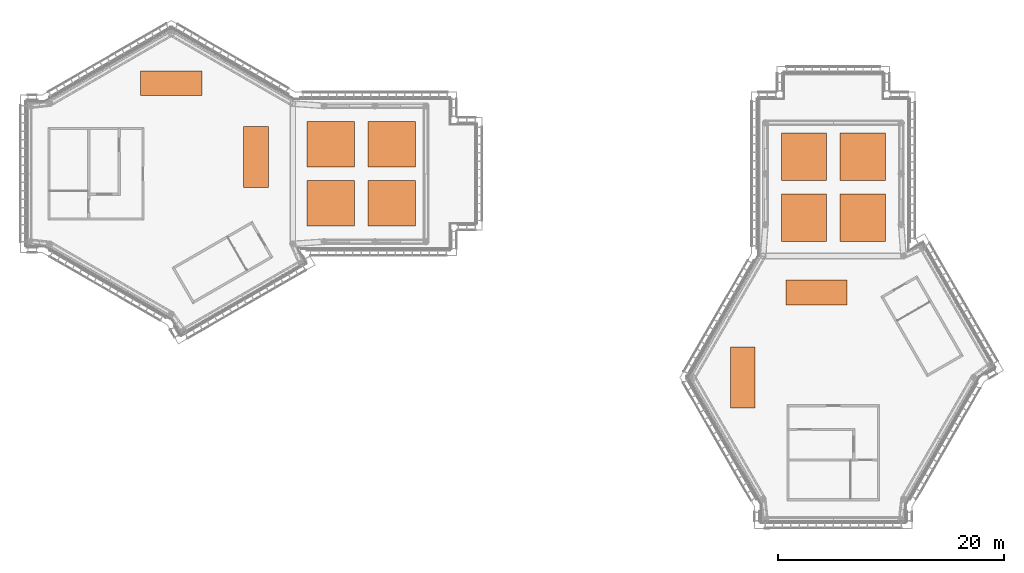
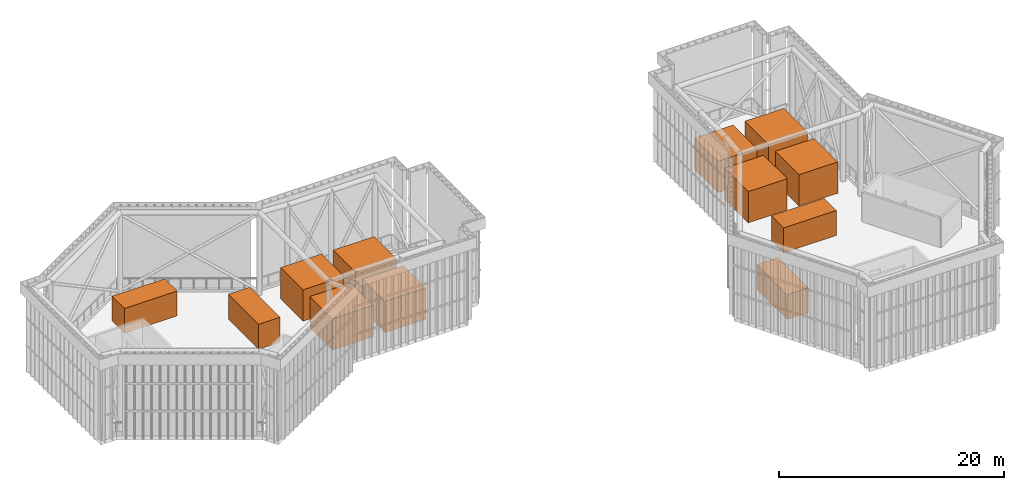
# One storey, part 17 of 17: 12 proxies.
"""IFC4 building model written with IfcOpenShell, lengths in metres."""

import ifcopenshell
import ifcopenshell.guid

model = None  # the IFC model being written
_history = None  # IfcOwnerHistory: only IFC2X3 demands one
_inside = {}  # id of a spatial element -> (the spatial element, [elements in it])
_under = {}  # id of a project, library or spatial element -> (it, [spatial elements below it])
_declared = {}  # id of a project -> (the project, [libraries it declares])
_typed = {}  # id of a type object -> (the type object, [elements of that type])
_made_of = {}  # id of a material, layer set ... -> (it, [elements and type objects made of it])


def new_model(schema):
    """Start an empty IFC model of exactly this schema.

    Asked for "IFC4X3", IfcOpenShell would pick the latest addendum, in which some entities
    have other attributes; the version numbers below select the first issue.
    IFC2X3 requires an IfcOwnerHistory on every rooted entity: one is made here for all.
    """
    global model, _history
    if schema == "IFC4X3":
        model = ifcopenshell.file(schema_version=(4, 3, 0, 0))
    else:
        model = ifcopenshell.file(schema=schema)
    _inside.clear()
    _under.clear()
    _declared.clear()
    _typed.clear()
    _made_of.clear()
    _history = None
    if model.schema == "IFC2X3":
        org = make("IfcOrganization", Name="unknown")
        user = make(
            "IfcPersonAndOrganization",
            ThePerson=make("IfcPerson", FamilyName="unknown"),
            TheOrganization=org,
        )
        app = make(
            "IfcApplication",
            ApplicationDeveloper=org,
            Version="unknown",
            ApplicationFullName="unknown",
            ApplicationIdentifier="unknown",
        )
        _history = make(
            "IfcOwnerHistory",
            OwningUser=user,
            OwningApplication=app,
            ChangeAction="ADDED",
            CreationDate=0,
        )
    return model


def make(cls, **values):
    """One entity of the class cls with the attributes given. An attribute that is None is left unset."""
    return model.create_entity(
        cls, **{name: value for name, value in values.items() if value is not None}
    )


def rooted(cls, **values):
    """An entity with a GlobalId (a new one), such as an element, a storey or a relation."""
    return make(cls, GlobalId=ifcopenshell.guid.new(), OwnerHistory=_history, **values)


def si_unit(unit_type, name, prefix=None):
    """IfcSIUnit, for example si_unit("LENGTHUNIT", "METRE", prefix="MILLI")."""
    return make("IfcSIUnit", UnitType=unit_type, Prefix=prefix, Name=name)


def assignment(units):
    """IfcUnitAssignment: the units of a project."""
    return None if units is None else make("IfcUnitAssignment", Units=units)


def point(xyz):
    """IfcCartesianPoint."""
    return None if xyz is None else make("IfcCartesianPoint", Coordinates=xyz)


def direction(xyz):
    """IfcDirection."""
    return None if xyz is None else make("IfcDirection", DirectionRatios=xyz)


def frame(location, z_axis=None, x_axis=None):
    """IfcAxis2Placement3D, a coordinate frame: its origin and axes. An axis left out is left unset."""
    return make(
        "IfcAxis2Placement3D",
        Location=point(location),
        Axis=direction(z_axis),
        RefDirection=direction(x_axis),
    )


def frame_2d(location, x_axis=None):
    """IfcAxis2Placement2D, a coordinate frame in the plane: its origin and x axis."""
    return make(
        "IfcAxis2Placement2D", Location=point(location), RefDirection=direction(x_axis)
    )


def origin():
    """The frame at (0, 0, 0) with its axes left unset."""
    return frame((0.0, 0.0, 0.0))


def origin_2d():
    """The frame at (0, 0) in the plane with its x axis left unset."""
    return frame_2d((0.0, 0.0))


def place(relative_to, where):
    """IfcLocalPlacement: puts the frame where relative to a parent placement (None: the world)."""
    return make(
        "IfcLocalPlacement", PlacementRelTo=relative_to, RelativePlacement=where
    )


def context(
    kind, dimensions, precision=None, world=None, true_north=None, identifier=None
):
    """IfcGeometricRepresentationContext, for example the 3D "Model" context."""
    return make(
        "IfcGeometricRepresentationContext",
        ContextIdentifier=identifier,
        ContextType=kind,
        CoordinateSpaceDimension=dimensions,
        Precision=precision,
        WorldCoordinateSystem=world,
        TrueNorth=true_north,
    )


def subcontext(parent, identifier, kind, view, scale=None):
    """IfcGeometricRepresentationSubContext, for example "Body" below "Model"."""
    return make(
        "IfcGeometricRepresentationSubContext",
        ContextIdentifier=identifier,
        ContextType=kind,
        ParentContext=parent,
        TargetScale=scale,
        TargetView=view,
    )


def project(units=None, contexts=None):
    """IfcProject with its units and contexts."""
    return rooted(
        "IfcProject",
        Name="project",
        RepresentationContexts=contexts,
        UnitsInContext=assignment(units),
    )


def spatial(cls, under=None, at=None, **own):
    """A site, building, storey or space (cls), placed at a placement, below another one or the project."""
    s = rooted(cls, ObjectPlacement=at, **own)
    if under is not None:
        _under.setdefault(under.id(), (under, []))[1].append(s)
    return s


def profile(cls, at=None, kind="AREA", **sizes):
    """A parametric profile (cls). Its sizes go by their IFC names, for example OverallWidth=200.0."""
    return make(cls, ProfileType=kind, Position=at, **sizes)


def rectangle(**sizes):
    """IfcRectangleProfileDef."""
    return profile("IfcRectangleProfileDef", **sizes)


def extrude(swept, where, along, depth):
    """IfcExtrudedAreaSolid: the profile swept, set in the frame where, extruded along a direction by depth."""
    return make(
        "IfcExtrudedAreaSolid",
        SweptArea=swept,
        Position=where,
        ExtrudedDirection=direction(along),
        Depth=depth,
    )


def shape(context_of_items, identifier, shape_type, items):
    """IfcShapeRepresentation: the items that make up one representation, for example the "Body"."""
    return make(
        "IfcShapeRepresentation",
        ContextOfItems=context_of_items,
        RepresentationIdentifier=identifier,
        RepresentationType=shape_type,
        Items=items,
    )


def material(Name=None, Category=None):
    """IfcMaterial."""
    return make("IfcMaterial", Name=Name, Category=Category)


def made_of(thing, what):
    """Note that an element or type object is made of a material, layer set ...; save() writes the relation."""
    if what is not None:
        _made_of.setdefault(what.id(), (what, []))[1].append(thing)
    return thing


def type_object(cls, material=None, **own):
    """A type object (cls), such as IfcWallType, which elements share."""
    return made_of(rooted(cls, **own), material)


def element(
    cls,
    number,
    at=None,
    inside=None,
    cuts=None,
    type_object=None,
    material=None,
    context=None,
    identifier="Body",
    shape_type=None,
    held_by="IfcProductDefinitionShape",
    body=None,
    shapes=None,
    **own,
):
    """One element of the class cls, such as IfcWall. Its Tag is "e" and its number.

    at: its placement. inside: the storey or other place that contains it. cuts: it is an
    opening in that element (IfcRelVoidsElement). A single representation is given by context,
    identifier, shape_type and body (its items); several are given by shapes. held_by: the class
    of the entity that holds the representations. save() writes the other relations.
    """
    e = rooted(cls, Tag="e%d" % number, ObjectPlacement=at, **own)
    if body is not None:
        shapes = [shape(context, identifier, shape_type, body)]
    if shapes is not None:
        e.Representation = make(held_by, Representations=shapes)
    if inside is not None:
        _inside.setdefault(inside.id(), (inside, []))[1].append(e)
    if cuts is not None:
        rooted(
            "IfcRelVoidsElement", RelatingBuildingElement=cuts, RelatedOpeningElement=e
        )
    if type_object is not None:
        _typed.setdefault(type_object.id(), (type_object, []))[1].append(e)
    return made_of(e, material)


def aggregate(whole, parts):
    """IfcRelAggregates: a whole, such as a stair, and the parts it consists of."""
    return rooted("IfcRelAggregates", RelatingObject=whole, RelatedObjects=parts)


def save(model, path):
    """Write the relations noted so far, then the file.

    IfcRelAggregates (storeys below a building ...), IfcRelContainedInSpatialStructure (elements
    in a storey), IfcRelDefinesByType, IfcRelAssociatesMaterial and IfcRelDeclares: one each for
    every whole, place, type object, material and project.
    """
    for whole, parts in _under.values():
        aggregate(whole, parts)
    for where, things in _inside.values():
        rooted(
            "IfcRelContainedInSpatialStructure",
            RelatedElements=things,
            RelatingStructure=where,
        )
    for kind, things in _typed.values():
        rooted("IfcRelDefinesByType", RelatedObjects=things, RelatingType=kind)
    for what, things in _made_of.values():
        rooted("IfcRelAssociatesMaterial", RelatedObjects=things, RelatingMaterial=what)
    for by, libraries in _declared.values():
        rooted("IfcRelDeclares", RelatingContext=by, RelatedDefinitions=libraries)
    model.write(path)


model = new_model("IFC4")

# Units and contexts
model_context = context("Model", 3, precision=1e-05, world=origin(), true_north=direction((0.0, 1.0)))
body_context = subcontext(model_context, "Body", "Model", "MODEL_VIEW")
ifc_project = project(units=[si_unit("LENGTHUNIT", "METRE"), si_unit("AREAUNIT", "SQUARE_METRE"), si_unit("VOLUMEUNIT", "CUBIC_METRE"), si_unit("PLANEANGLEUNIT", "RADIAN"), si_unit("MASSUNIT", "GRAM", prefix="KILO")], contexts=[model_context])

# Site, building, storey
site_placement = place(None, origin())
site = spatial("IfcSite", under=ifc_project, at=site_placement, CompositionType="ELEMENT")
building_placement = place(site_placement, origin())
building = spatial("IfcBuilding", under=site, at=building_placement, Name="Upepo Twin Towers", CompositionType="ELEMENT")
storey_placement = place(building_placement, frame((0.0, 0.0, 296.5)))
storey = spatial("IfcBuildingStorey", under=building, at=storey_placement, Name="RF", CompositionType="ELEMENT", Elevation=296.5)

# Proxies
ifc_material_1 = material(Name="Galvanised steel S275", Category="steel")
building_element_proxy_type_1 = type_object("IfcBuildingElementProxyType", Name="Roof plant air-handling unit 5400x2200 on plinth", PredefinedType="USERDEFINED", material=ifc_material_1)
for number, where, z_axis, x_axis, name in (
    (1, (0.0, 8.0, 0.0), (0.0, 0.0, 1.0), (1.0, 0.0, 0.0), "T1 roof plant RP2.1 air-handling unit on plinth"),
    (2, (7.5, 1.5, 0.0), (0.0, 0.0, 1.0), (0.0, 1.0, 0.0), "T1 roof plant RP2.2 air-handling unit on plinth"),
    (3, (50.5, -18.0, 0.0), (0.0, 0.0, 1.0), (0.0, 1.0, 0.0), "T2 roof plant RP2.1 air-handling unit on plinth"),
    (4, (57.0, -10.5, 0.0), (0.0, 0.0, 1.0), (-1.0, 0.0, 0.0), "T2 roof plant RP2.2 air-handling unit on plinth"),
):
    element("IfcBuildingElementProxy", number, at=place(storey_placement, frame(where, z_axis=z_axis, x_axis=x_axis)), inside=storey, type_object=building_element_proxy_type_1, Name=name, ObjectType="AIR-HANDLING UNIT", PredefinedType="USERDEFINED", context=body_context, shape_type="SweptSolid", body=[
        extrude(rectangle(XDim=5.39990234375, YDim=2.199951171875, at=origin_2d()), origin(), (0.0, 0.0, 1.0), 2.699951171875),
    ])
ifc_material_2 = material(Name="Galvanised steel S275", Category="steel")
building_element_proxy_type_2 = type_object("IfcBuildingElementProxyType", Name="Roof plant cooling tower cell 4200x4000 on plinth", PredefinedType="USERDEFINED", material=ifc_material_2)
for number, where, z_axis, x_axis, name in (
    (5, (14.10009765625, 2.60009765625, 0.0), (0.0, 0.0, 1.0), (1.0, 0.0, 0.0), "T1 roof plant RP1.1 cooling tower on plinth"),
    (6, (19.5, 2.60009765625, 0.0), (0.0, 0.0, 1.0), (1.0, 0.0, 0.0), "T1 roof plant RP1.2 cooling tower on plinth"),
    (7, (14.10009765625, -2.60009765625, 0.0), (0.0, 0.0, 1.0), (1.0, 0.0, 0.0), "T1 roof plant RP1.3 cooling tower on plinth"),
    (8, (19.5, -2.60009765625, 0.0), (0.0, 0.0, 1.0), (1.0, 0.0, 0.0), "T1 roof plant RP1.4 cooling tower on plinth"),
    (9, (55.89990234375, -3.89990234375, 0.0), (0.0, 0.0, 1.0), (0.0, 1.0, 0.0), "T2 roof plant RP1.1 cooling tower on plinth"),
    (10, (55.89990234375, 1.5, 0.0), (0.0, 0.0, 1.0), (0.0, 1.0, 0.0), "T2 roof plant RP1.2 cooling tower on plinth"),
    (11, (61.10009765625, -3.89990234375, 0.0), (0.0, 0.0, 1.0), (0.0, 1.0, 0.0), "T2 roof plant RP1.3 cooling tower on plinth"),
    (12, (61.10009765625, 1.5, 0.0), (0.0, 0.0, 1.0), (0.0, 1.0, 0.0), "T2 roof plant RP1.4 cooling tower on plinth"),
):
    element("IfcBuildingElementProxy", number, at=place(storey_placement, frame(where, z_axis=z_axis, x_axis=x_axis)), inside=storey, type_object=building_element_proxy_type_2, Name=name, ObjectType="COOLING TOWER", PredefinedType="USERDEFINED", context=body_context, shape_type="SweptSolid", body=[
        extrude(rectangle(XDim=4.199951171875, YDim=4.0, at=origin_2d()), origin(), (0.0, 0.0, 1.0), 3.39990234375),
    ])

save(model, "model.ifc")
